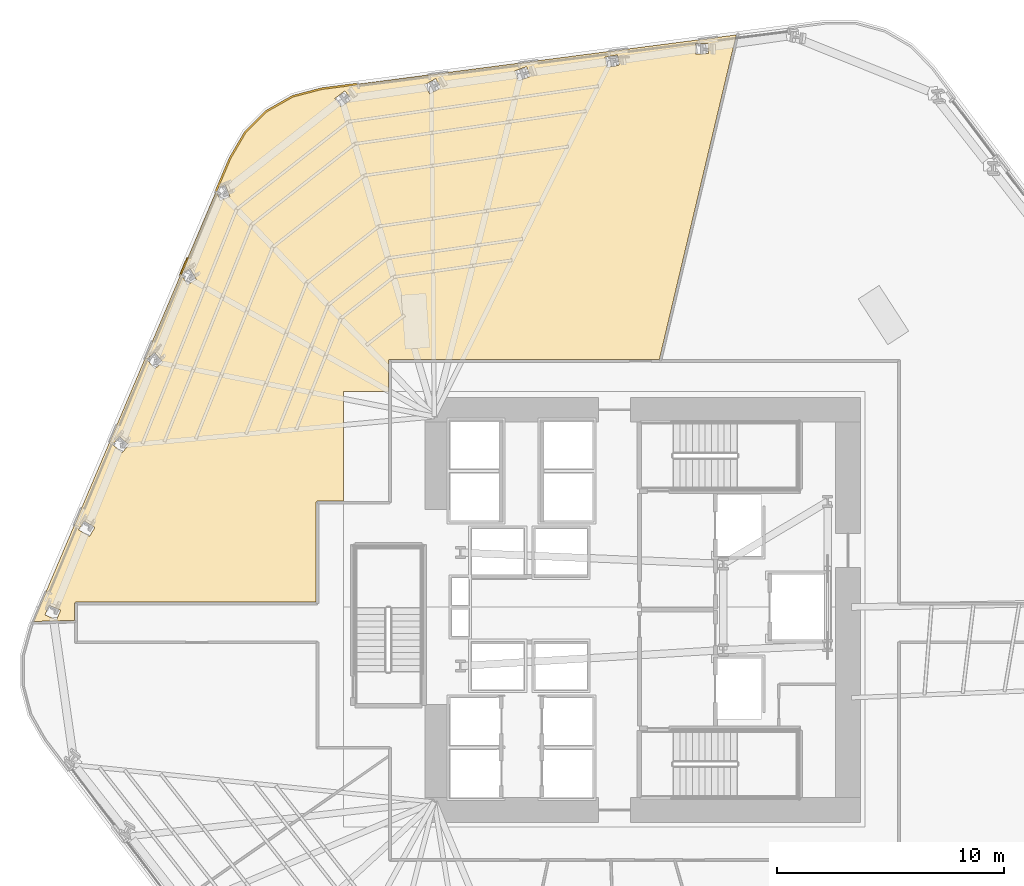
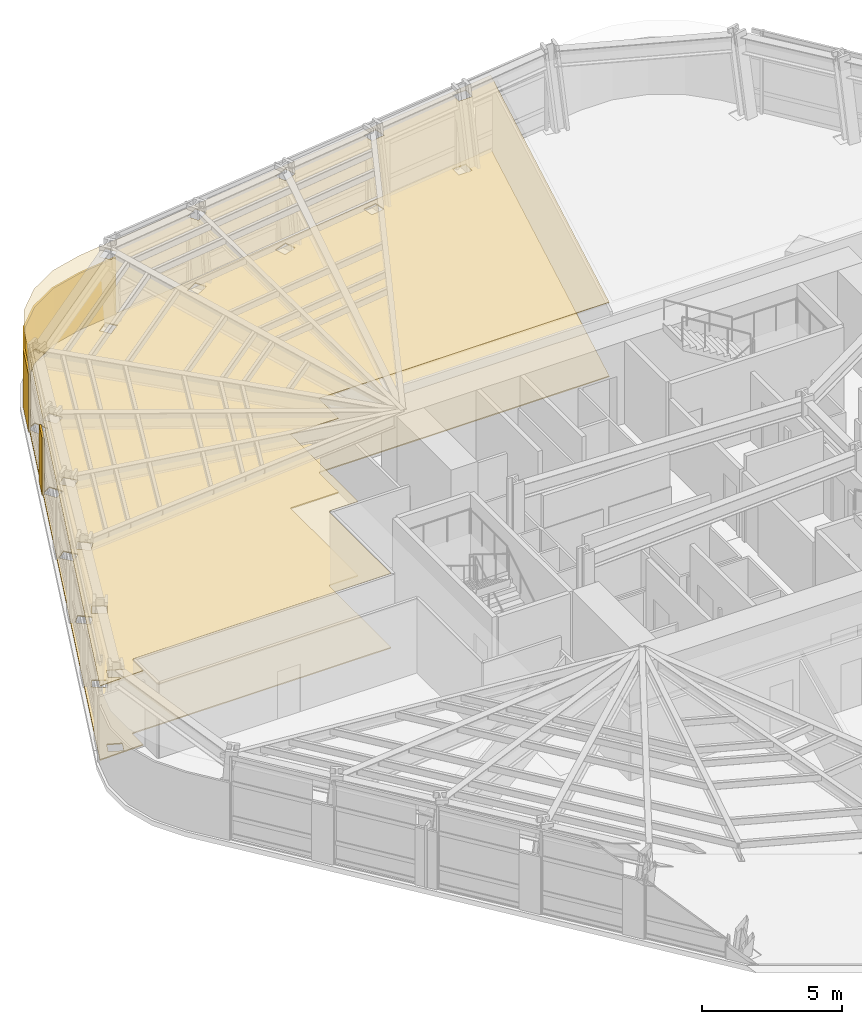
# One storey, part 13 of 16: 4 coverings.
"""IFC4 building model written with IfcOpenShell, lengths in metres."""

from ifc_helpers import new_model, si_unit, direction, frame, origin, place, context, subcontext, project, spatial, polyline, outline, extrude, material, layer, layer_set, type_object, element, save


model = new_model("IFC4")

# Units and contexts
model_context = context("Model", 3, precision=1e-05, world=origin(), true_north=direction((0.0, 1.0)))
body_context = subcontext(model_context, "Body", "Model", "MODEL_VIEW")
ifc_project = project(units=[si_unit("LENGTHUNIT", "METRE"), si_unit("AREAUNIT", "SQUARE_METRE"), si_unit("VOLUMEUNIT", "CUBIC_METRE"), si_unit("PLANEANGLEUNIT", "RADIAN"), si_unit("MASSUNIT", "GRAM", prefix="KILO")], contexts=[model_context])

# Site, building, storey
site_placement = place(None, origin())
site = spatial("IfcSite", under=ifc_project, at=site_placement, CompositionType="ELEMENT")
building_placement = place(site_placement, origin())
building = spatial("IfcBuilding", under=site, at=building_placement, Name="Valkerne Bourse Tower", CompositionType="ELEMENT")
storey_placement = place(building_placement, frame((0.0, 0.0, 54.39990234375)))
storey = spatial("IfcBuildingStorey", under=building, at=storey_placement, Name="L13", CompositionType="ELEMENT", Elevation=54.39990234375)

# Coverings
ifc_material_1 = material(Name="Mineral Fiber Acoustic Ceiling Tile", Category="acoustic")
ifc_layer_1 = layer(ifc_material_1, 0.02490234375)
ifc_layer_set_1 = layer_set([ifc_layer_1], Name="Mineral Fiber Acoustic Ceiling Tile")
covering_type_1 = type_object("IfcCoveringType", Name="COV-CEIL-ACT", PredefinedType="CEILING", material=ifc_layer_set_1)
covering_1_placement = place(storey_placement, frame((0.0, 0.0, 3.22998046875)))
element("IfcCovering", 1, at=covering_1_placement, inside=storey, type_object=covering_type_1, Name="L13 Suspended Ceiling 07", PredefinedType="CEILING", context=body_context, shape_type="SweptSolid", body=[
    extrude(outline(polyline([(30.20361328125, 48.864990234375), (31.349853515625, 49.518798828125), (32.635498046875, 49.856201171875), (50.920654296875, 52.23291015625), (47.527587890625, 37.9189453125), (35.649658203125, 37.9189453125), (35.620849609375, 37.91259765625), (35.591064453125, 37.885986328125), (35.5810546875, 37.8505859375), (35.5810546875, 36.5), (33.60009765625, 36.5), (33.60009765625, 31.6689453125), (32.449462890625, 31.6689453125), (32.419921875, 31.662109375), (32.39404296875, 31.640625), (32.381103515625, 31.6005859375), (32.381103515625, 27.218994140625), (21.79541015625, 27.218994140625), (21.7529296875, 27.200927734375), (21.731201171875, 27.154541015625), (21.73095703125, 26.41259765625), (19.921630859375, 26.3623046875), (27.987548828125, 45.3583984375), (28.163818359375, 44.930419921875), (28.585693359375, 45.102294921875), (28.588134765625, 45.10498046875), (28.376220703125, 45.619140625), (28.0400390625, 45.482177734375), (28.594970703125, 46.7890625), (29.265625, 47.936767578125), (30.20361328125, 48.864990234375)]), holes=[polyline([(21.12060546875, 26.859619140625), (20.6064453125, 27.072021484375), (20.430908203125, 26.652099609375), (20.430908203125, 26.648193359375), (20.94482421875, 26.435791015625), (21.12060546875, 26.855712890625), (21.12060546875, 26.859619140625)]), polyline([(22.630859375, 30.5078125), (22.63134765625, 30.51123046875), (22.15478515625, 30.798095703125), (21.91845703125, 30.408447265625), (21.91796875, 30.405029296875), (22.39453125, 30.118408203125), (22.630859375, 30.5078125)]), polyline([(24.134033203125, 34.157470703125), (23.709716796875, 34.51708984375), (23.413818359375, 34.17041015625), (23.412841796875, 34.167236328125), (23.8369140625, 33.8076171875), (24.133056640625, 34.154052734375), (24.134033203125, 34.157470703125)]), polyline([(25.62548828125, 37.798828125), (25.627197265625, 37.802001953125), (25.268310546875, 38.226806640625), (24.919189453125, 37.93408203125), (24.91748046875, 37.930908203125), (25.276611328125, 37.506103515625), (25.62548828125, 37.798828125)]), polyline([(27.10888671875, 41.447021484375), (27.111083984375, 41.449951171875), (26.8251953125, 41.927001953125), (26.43359375, 41.694091796875), (26.431396484375, 41.69140625), (26.71728515625, 41.21435546875), (27.10888671875, 41.447021484375)]), polyline([(33.49560546875, 49.0654296875), (33.934814453125, 49.402099609375), (33.656982421875, 49.765625), (33.65380859375, 49.763916015625), (33.214599609375, 49.427001953125), (33.492431640625, 49.063720703125), (33.49560546875, 49.0654296875)]), polyline([(37.401611328125, 49.63525390625), (37.886474609375, 49.902587890625), (37.665771484375, 50.3037109375), (37.66259765625, 50.30224609375), (37.177734375, 50.03466796875), (37.398193359375, 49.6337890625), (37.401611328125, 49.63525390625)]), polyline([(41.306884765625, 50.21435546875), (41.82861328125, 50.400634765625), (41.67529296875, 50.831787109375), (41.671875, 50.8310546875), (41.150390625, 50.644775390625), (41.3037109375, 50.213623046875), (41.306884765625, 50.21435546875)]), polyline([(45.760986328125, 50.900390625), (45.68115234375, 51.350830078125), (45.677734375, 51.3505859375), (45.132568359375, 51.25341796875), (45.21240234375, 50.802734375), (45.2158203125, 50.802978515625), (45.760986328125, 50.900390625)]), polyline([(49.68603515625, 51.406005859375), (49.679443359375, 51.863525390625), (49.67578125, 51.864013671875), (49.122314453125, 51.85546875), (49.128662109375, 51.39794921875), (49.13232421875, 51.3974609375), (49.68603515625, 51.406005859375)])]), origin(), (0.0, 0.0, 1.0), 0.025146484375),
])
ifc_material_2 = material(Name="Bronze Anodised Aluminium AA 6063-T6", Category="aluminium")
ifc_layer_2 = layer(ifc_material_2, 0.06005859375)
ifc_layer_set_2 = layer_set([ifc_layer_2], Name="Bronze Anodised Aluminium AA 6063-T6")
covering_type_2 = type_object("IfcCoveringType", Name="COV-CRN-ALUM", PredefinedType="CLADDING", material=ifc_layer_set_2)
covering_2_placement = place(storey_placement, origin())
element("IfcCovering", 2, at=covering_2_placement, inside=storey, type_object=covering_type_2, Name="L13 Wind-Shaped Corner Aluminium Cladding 15", PredefinedType="CLADDING", context=body_context, shape_type="SweptSolid", body=[
    extrude(outline(polyline([(26.6884765625, 42.41162109375), (26.76220703125, 42.380615234375), (26.43408203125, 41.607666015625), (26.360107421875, 41.638671875), (26.6884765625, 42.41162109375)])), origin(), (0.0, 0.0, 1.0), 2.5),
])
covering_3_placement = place(storey_placement, origin())
element("IfcCovering", 3, at=covering_3_placement, inside=storey, type_object=covering_type_2, Name="L13 Wind-Shaped Corner Aluminium Cladding 16", PredefinedType="CLADDING", context=body_context, shape_type="SweptSolid", body=[
    extrude(outline(polyline([(28.5556640625, 46.808837890625), (29.230712890625, 47.964111328125), (30.1767578125, 48.900390625), (31.3330078125, 49.559814453125), (32.627197265625, 49.8994140625), (34.234619140625, 50.1083984375), (34.24462890625, 50.02880859375), (32.642578125, 49.82080078125), (31.363525390625, 49.485107421875), (30.2255859375, 48.836181640625), (29.29443359375, 47.91455078125), (28.627197265625, 46.77294921875), (27.995849609375, 45.285888671875), (27.922119140625, 45.31689453125), (28.5556640625, 46.808837890625)])), origin(), (0.0, 0.0, 1.0), 2.5),
])
ifc_material_3 = material(Name="Galvanised Painted Steel", Category="steel")
ifc_layer_3 = layer(ifc_material_3, 0.044921875)
ifc_layer_set_3 = layer_set([ifc_layer_3], Name="Galvanised Painted Steel")
covering_type_3 = type_object("IfcCoveringType", Name="COV-FLR-RAF", PredefinedType="FLOORING", material=ifc_layer_set_3)
covering_4_placement = place(storey_placement, origin())
element("IfcCovering", 4, at=covering_4_placement, inside=storey, type_object=covering_type_3, Name="L13 Floor Finish 07", PredefinedType="FLOORING", context=body_context, shape_type="SweptSolid", body=[
    extrude(outline(polyline([(30.20361328125, 48.864990234375), (31.349853515625, 49.518798828125), (32.635498046875, 49.856201171875), (50.920654296875, 52.23291015625), (47.527587890625, 37.9189453125), (35.649658203125, 37.9189453125), (35.620849609375, 37.91259765625), (35.591064453125, 37.885986328125), (35.5810546875, 37.8505859375), (35.5810546875, 36.5), (33.60009765625, 36.5), (33.60009765625, 31.6689453125), (32.449462890625, 31.6689453125), (32.419921875, 31.662109375), (32.39404296875, 31.640625), (32.381103515625, 31.6005859375), (32.381103515625, 27.218994140625), (21.79541015625, 27.218994140625), (21.7529296875, 27.200927734375), (21.731201171875, 27.154541015625), (21.73095703125, 26.41259765625), (19.921630859375, 26.3623046875), (27.987548828125, 45.3583984375), (28.163818359375, 44.930419921875), (28.585693359375, 45.102294921875), (28.588134765625, 45.10498046875), (28.376220703125, 45.619140625), (28.0400390625, 45.482177734375), (28.594970703125, 46.7890625), (29.265625, 47.936767578125), (30.20361328125, 48.864990234375)]), holes=[polyline([(21.12060546875, 26.859619140625), (20.6064453125, 27.072021484375), (20.430908203125, 26.652099609375), (20.430908203125, 26.648193359375), (20.94482421875, 26.435791015625), (21.12060546875, 26.855712890625), (21.12060546875, 26.859619140625)]), polyline([(22.630859375, 30.5078125), (22.63134765625, 30.51123046875), (22.15478515625, 30.798095703125), (21.91845703125, 30.408447265625), (21.91796875, 30.405029296875), (22.39453125, 30.118408203125), (22.630859375, 30.5078125)]), polyline([(24.134033203125, 34.157470703125), (23.709716796875, 34.51708984375), (23.413818359375, 34.17041015625), (23.412841796875, 34.167236328125), (23.8369140625, 33.8076171875), (24.133056640625, 34.154052734375), (24.134033203125, 34.157470703125)]), polyline([(25.62548828125, 37.798828125), (25.627197265625, 37.802001953125), (25.268310546875, 38.226806640625), (24.919189453125, 37.93408203125), (24.91748046875, 37.930908203125), (25.276611328125, 37.506103515625), (25.62548828125, 37.798828125)]), polyline([(27.10888671875, 41.447021484375), (27.111083984375, 41.449951171875), (26.8251953125, 41.927001953125), (26.43359375, 41.694091796875), (26.431396484375, 41.69140625), (26.71728515625, 41.21435546875), (27.10888671875, 41.447021484375)]), polyline([(33.49560546875, 49.0654296875), (33.934814453125, 49.402099609375), (33.656982421875, 49.765625), (33.65380859375, 49.763916015625), (33.214599609375, 49.427001953125), (33.492431640625, 49.063720703125), (33.49560546875, 49.0654296875)]), polyline([(37.401611328125, 49.63525390625), (37.886474609375, 49.902587890625), (37.665771484375, 50.3037109375), (37.66259765625, 50.30224609375), (37.177734375, 50.03466796875), (37.398193359375, 49.6337890625), (37.401611328125, 49.63525390625)]), polyline([(41.306884765625, 50.21435546875), (41.82861328125, 50.400634765625), (41.67529296875, 50.831787109375), (41.671875, 50.8310546875), (41.150390625, 50.644775390625), (41.3037109375, 50.213623046875), (41.306884765625, 50.21435546875)]), polyline([(45.760986328125, 50.900390625), (45.68115234375, 51.350830078125), (45.677734375, 51.3505859375), (45.132568359375, 51.25341796875), (45.21240234375, 50.802734375), (45.2158203125, 50.802978515625), (45.760986328125, 50.900390625)]), polyline([(49.68603515625, 51.406005859375), (49.679443359375, 51.863525390625), (49.67578125, 51.864013671875), (49.122314453125, 51.85546875), (49.128662109375, 51.39794921875), (49.13232421875, 51.3974609375), (49.68603515625, 51.406005859375)])]), origin(), (0.0, 0.0, 1.0), 0.045166015625),
])

save(model, "model.ifc")
